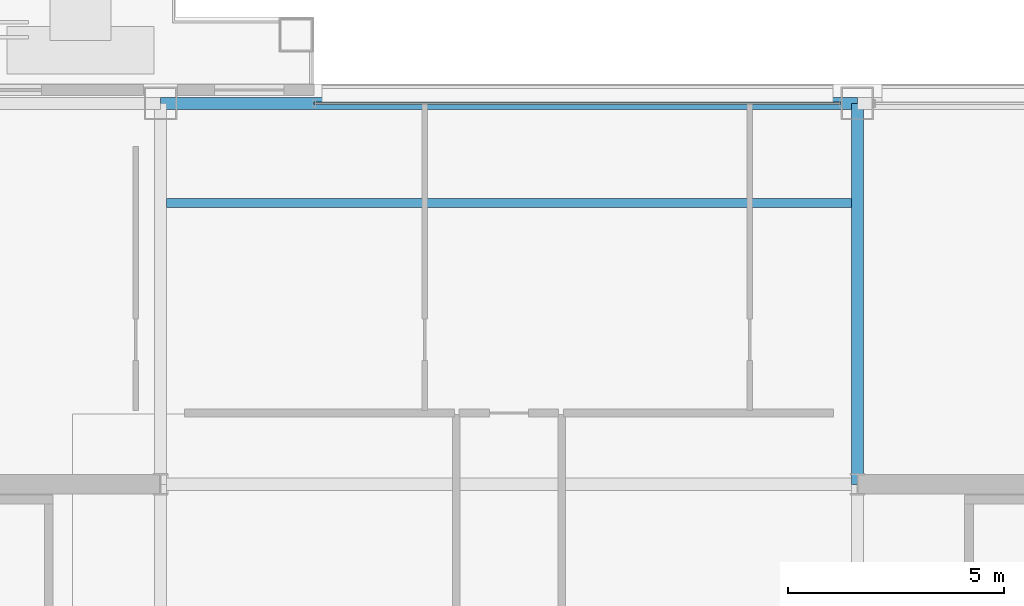
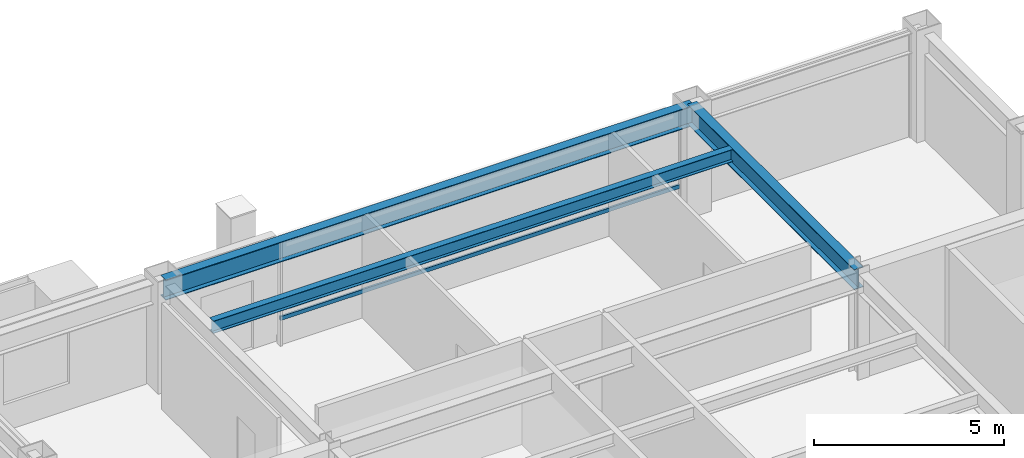
# One storey, part 20 of 30: 3 beams, 1 member, 1 element without a shape of its own.
"""IFC4 building model written with IfcOpenShell, lengths in metres."""

from ifc_helpers import new_model, si_unit, direction, frame, origin, origin_2d, place, context, subcontext, project, spatial, hollow_rectangle, i_section, extrude, material, layer, layer_set, material_profile, profile_set, type_object, element, aggregate, save


model = new_model("IFC4")

# Units and contexts
model_context = context("Model", 3, precision=1e-05, world=origin(), true_north=direction((0.0, 1.0)))
body_context = subcontext(model_context, "Body", "Model", "MODEL_VIEW")
ifc_project = project(units=[si_unit("LENGTHUNIT", "METRE"), si_unit("AREAUNIT", "SQUARE_METRE"), si_unit("VOLUMEUNIT", "CUBIC_METRE"), si_unit("PLANEANGLEUNIT", "RADIAN"), si_unit("MASSUNIT", "GRAM", prefix="KILO")], contexts=[model_context])

# Site, building, storey
site_placement = place(None, origin())
site = spatial("IfcSite", under=ifc_project, at=site_placement, CompositionType="ELEMENT")
building_placement = place(site_placement, origin())
building = spatial("IfcBuilding", under=site, at=building_placement, Name="Brelmoor Portico Tower", CompositionType="ELEMENT")
storey_placement = place(building_placement, frame((0.0, 0.0, 169.5)))
storey = spatial("IfcBuildingStorey", under=building, at=storey_placement, Name="L44", CompositionType="ELEMENT", Elevation=169.5)

# Beams
ifc_material_1 = material(Name="Steel Q355B", Category="steel")
ifc_material_profile_1 = material_profile(ifc_material_1, i_section(OverallWidth=0.199951171875, OverallDepth=0.39990234375, WebThickness=0.008056640625, FlangeThickness=0.012939453125, at=origin_2d()), Name="HN 400x200x8x13")
ifc_profile_set_1 = profile_set([ifc_material_profile_1], Name="Steel Q355B")
beam_type_1 = type_object("IfcBeamType", Name="BM-JS-400", PredefinedType="JOIST", material=ifc_profile_set_1)
beam_1_placement = place(storey_placement, frame((-7.909912109375, 16.25, 3.199951171875), z_axis=(1.0, 0.0, 0.0), x_axis=(0.0, 1.0, 0.0)))
element("IfcBeam", 1, at=beam_1_placement, inside=storey, type_object=beam_type_1, Name="L44 Secondary Composite Joist JS-C04", PredefinedType="JOIST", context=body_context, shape_type="SweptSolid", body=[
    extrude(i_section(OverallWidth=0.199951171875, OverallDepth=0.39990234375, WebThickness=0.008056640625, FlangeThickness=0.012939453125, at=origin_2d()), origin(), (0.0, 0.0, 1.0), 15.81982421875),
])
ifc_material_profile_2 = material_profile(ifc_material_1, i_section(OverallWidth=0.280029296875, OverallDepth=0.64990234375, WebThickness=0.012939453125, FlangeThickness=0.02197265625, at=origin_2d()), Name="HN 650x280x13x22")
ifc_profile_set_2 = profile_set([ifc_material_profile_2], Name="Steel Q355B")
beam_type_2 = type_object("IfcBeamType", Name="BM-PG-650", PredefinedType="BEAM", material=ifc_profile_set_2)
beam_2_placement = place(storey_placement, frame((8.050048828125, 9.75, 3.074951171875), z_axis=(0.0, 1.0, 0.0), x_axis=(-1.0, 0.0, 0.0)))
element("IfcBeam", 2, at=beam_2_placement, inside=storey, type_object=beam_type_2, Name="L44 Primary Floor Girder PG-08", PredefinedType="BEAM", context=body_context, shape_type="SweptSolid", body=[
    extrude(i_section(OverallWidth=0.280029296875, OverallDepth=0.64990234375, WebThickness=0.012939453125, FlangeThickness=0.02197265625, at=origin_2d()), origin(), (0.0, 0.0, 1.0), 8.800048828125),
])
ifc_material_profile_3 = material_profile(ifc_material_1, i_section(OverallWidth=0.280029296875, OverallDepth=0.64990234375, WebThickness=0.012939453125, FlangeThickness=0.02197265625, at=origin_2d()), Name="HN 650x280x13x22")
ifc_profile_set_3 = profile_set([ifc_material_profile_3], Name="Steel Q355B")
beam_type_3 = type_object("IfcBeamType", Name="BM-SP-650", PredefinedType="SPANDREL", material=ifc_profile_set_3)
beam_3_placement = place(storey_placement, frame((-8.050048828125, 18.550048828125, 3.074951171875), z_axis=(1.0, 0.0, 0.0), x_axis=(0.0, 1.0, 0.0)))
element("IfcBeam", 3, at=beam_3_placement, inside=storey, type_object=beam_type_3, Name="L44 Perimeter Spandrel Beam SP-09", PredefinedType="SPANDREL", context=body_context, shape_type="SweptSolid", body=[
    extrude(i_section(OverallWidth=0.280029296875, OverallDepth=0.64990234375, WebThickness=0.012939453125, FlangeThickness=0.02197265625, at=origin_2d()), origin(), (0.0, 0.0, 1.0), 16.10009765625),
])

# Curtain wall, member
ifc_material_2 = material(Name="Anodised Aluminium Alloy 6063-T6", Category="aluminium")
ifc_layer = layer(ifc_material_2, 0.179931640625)
ifc_layer_set = layer_set([ifc_layer], Name="Anodised Aluminium Alloy 6063-T6")
curtain_wall_type = type_object("IfcCurtainWallType", Name="CW-TOWER-Z3", PredefinedType="NOTDEFINED", material=ifc_layer_set)
curtain_wall_placement = place(storey_placement, origin())
curtain_wall = element("IfcCurtainWall", 4, at=curtain_wall_placement, inside=storey, type_object=curtain_wall_type, Name="L44 Curtain Wall CW-L44-2R-1", PredefinedType="NOTDEFINED")
ifc_material_profile_4 = material_profile(ifc_material_2, hollow_rectangle(XDim=0.06005859375, YDim=0.125, WallThickness=0.00341796875, at=origin_2d()), Name="ALU TRANSOM 60x125")
ifc_profile_set_4 = profile_set([ifc_material_profile_4], Name="Anodised Aluminium Alloy 6063-T6")
member_type = type_object("IfcMemberType", Name="MB-CW-TRAN-125", PredefinedType="USERDEFINED", material=ifc_profile_set_4)
member_placement = place(storey_placement, frame((-4.5, 18.550048828125, 0.85009765625), z_axis=(1.0, 0.0, 0.0), x_axis=(0.0, 1.0, 0.0)))
member = element("IfcMember", 5, at=member_placement, type_object=member_type, Name="CW-L44-2R-1 Transom 1-00", ObjectType="TRANSOM", PredefinedType="USERDEFINED", context=body_context, shape_type="SweptSolid", body=[
    extrude(hollow_rectangle(XDim=0.06005859375, YDim=0.125, WallThickness=0.00341796875, at=origin_2d()), origin(), (0.0, 0.0, 1.0), 12.1650390625),
])
aggregate(curtain_wall, [member])

save(model, "model.ifc")
